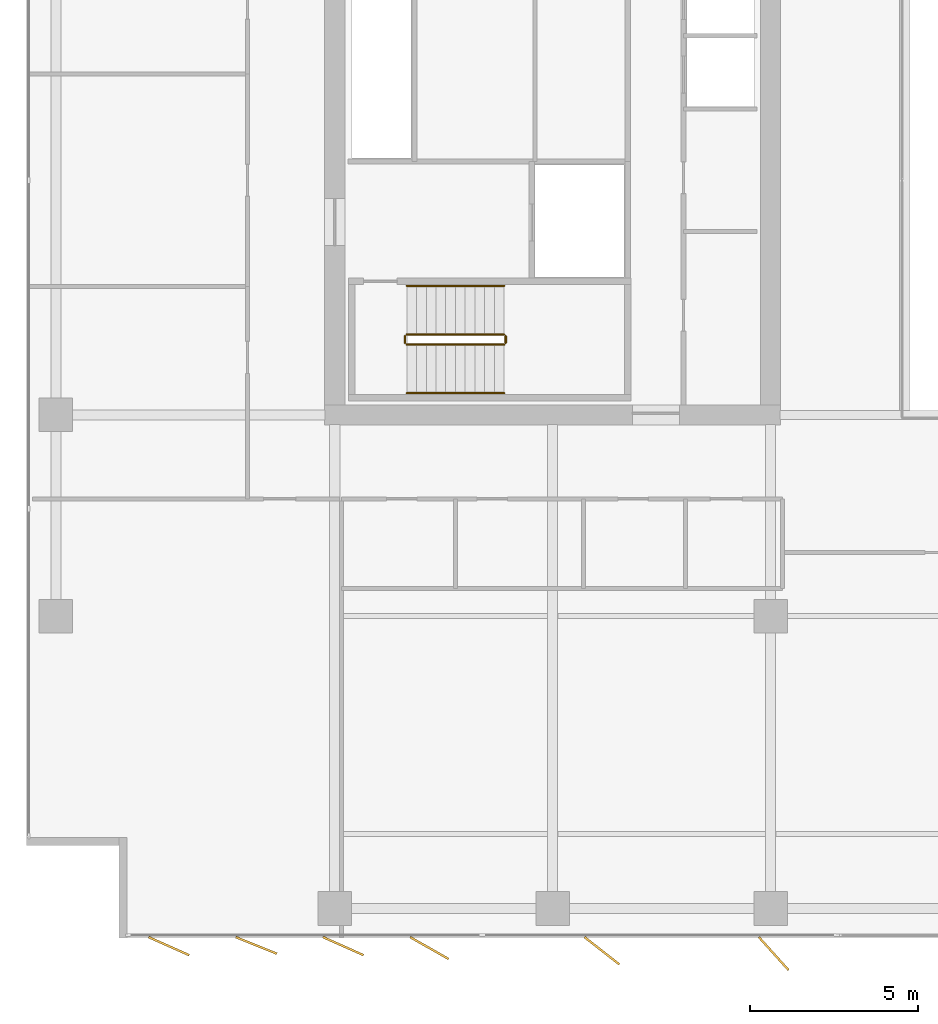
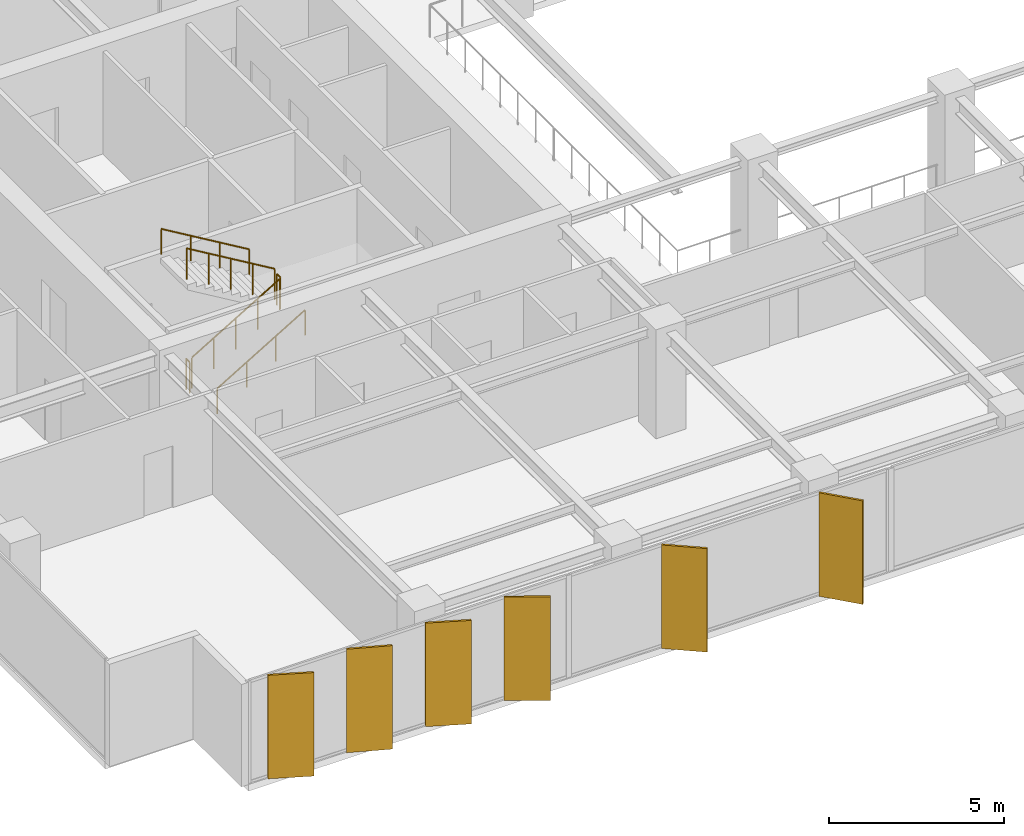
# One storey, part 19 of 22: 6 railings, 6 shading devices.
"""IFC4 building model written with IfcOpenShell, lengths in metres."""

from ifc_helpers import new_model, si_unit, direction, frame, origin, origin_2d, place, context, subcontext, project, spatial, rectangle, circle, extrude, material, layer, layer_set, type_object, element, save


model = new_model("IFC4")

# Units and contexts
model_context = context("Model", 3, precision=1e-05, world=origin(), true_north=direction((0.0, 1.0)))
body_context = subcontext(model_context, "Body", "Model", "MODEL_VIEW")
ifc_project = project(units=[si_unit("LENGTHUNIT", "METRE"), si_unit("AREAUNIT", "SQUARE_METRE"), si_unit("VOLUMEUNIT", "CUBIC_METRE"), si_unit("PLANEANGLEUNIT", "RADIAN"), si_unit("MASSUNIT", "GRAM", prefix="KILO")], contexts=[model_context])

# Site, building, storey
site_placement = place(None, origin())
site = spatial("IfcSite", under=ifc_project, at=site_placement, CompositionType="ELEMENT")
building_placement = place(site_placement, origin())
building = spatial("IfcBuilding", under=site, at=building_placement, Name="Putna Gate Headquarters", CompositionType="ELEMENT")
storey_placement = place(building_placement, frame((0.0, 0.0, 151.800048828125)))
storey = spatial("IfcBuildingStorey", under=building, at=storey_placement, Name="L37", CompositionType="ELEMENT", Elevation=151.800048828125)

# Railings
ifc_material_1 = material(Name="Powder-coated steel stair guardrail", Category="steel")
railing_type_1 = type_object("IfcRailingType", Name="RAIL-STAIR-GUARD-1100", PredefinedType="GUARDRAIL", material=ifc_material_1)
railing_1_placement = place(storey_placement, frame((15.14990234375, 21.10009765625, 0.172607421875)))
element("IfcRailing", 1, at=railing_1_placement, inside=storey, type_object=railing_type_1, Name="L37 ST1 stair guard 1", PredefinedType="GUARDRAIL", context=body_context, shape_type="SweptSolid", body=[
    extrude(circle(Radius=0.02392578125, at=origin_2d()), frame((0.0, 0.0, 1.076171875), z_axis=(0.859160404282, 0.0, 0.51170636083), x_axis=(0.0, 1.0, 0.0)), (0.0, 0.0, 1.0), 3.37548828125),
    extrude(circle(Radius=0.02099609375, at=origin_2d()), origin(), (0.0, 0.0, 1.0), 1.052001953125),
    extrude(circle(Radius=0.02099609375, at=origin_2d()), frame((0.72509765625, 0.0, 0.431884765625)), (0.0, 0.0, 1.0), 1.052001953125),
    extrude(circle(Radius=0.02099609375, at=origin_2d()), frame((1.4501953125, 0.0, 0.86376953125)), (0.0, 0.0, 1.0), 1.052001953125),
    extrude(circle(Radius=0.02099609375, at=origin_2d()), frame((2.175048828125, 0.0, 1.29541015625)), (0.0, 0.0, 1.0), 1.052001953125),
    extrude(circle(Radius=0.02099609375, at=origin_2d()), frame((2.900146484375, 0.0, 1.727294921875)), (0.0, 0.0, 1.0), 1.052001953125),
])
railing_2_placement = place(storey_placement, frame((18.10009765625, 21.14990234375, 1.89990234375)))
element("IfcRailing", 2, at=railing_2_placement, inside=storey, type_object=railing_type_1, Name="L37 ST1 stair guard 2", PredefinedType="GUARDRAIL", context=body_context, shape_type="SweptSolid", body=[
    extrude(circle(Radius=0.02392578125, at=origin_2d()), frame((0.0, 0.0, 1.076171875), z_axis=(0.0, 1.0, 0.0), x_axis=(-1.0, 0.0, 0.0)), (0.0, 0.0, 1.0), 0.2001953125),
    extrude(circle(Radius=0.02099609375, at=origin_2d()), origin(), (0.0, 0.0, 1.0), 1.052001953125),
    extrude(circle(Radius=0.02099609375, at=origin_2d()), frame((0.0, 0.2001953125, 0.0)), (0.0, 0.0, 1.0), 1.052001953125),
])
railing_3_placement = place(storey_placement, frame((18.050048828125, 21.39990234375, 2.07275390625)))
element("IfcRailing", 3, at=railing_3_placement, inside=storey, type_object=railing_type_1, Name="L37 ST1 stair guard 3", PredefinedType="GUARDRAIL", context=body_context, shape_type="SweptSolid", body=[
    extrude(circle(Radius=0.02392578125, at=origin_2d()), frame((0.0, 0.0, 1.076171875), z_axis=(-0.859160404282, 0.0, 0.51170636083), x_axis=(0.0, -1.0, 0.0)), (0.0, 0.0, 1.0), 3.37548828125),
    extrude(circle(Radius=0.02099609375, at=origin_2d()), origin(), (0.0, 0.0, 1.0), 1.052001953125),
    extrude(circle(Radius=0.02099609375, at=origin_2d()), frame((-0.72509765625, 0.0, 0.431884765625)), (0.0, 0.0, 1.0), 1.052001953125),
    extrude(circle(Radius=0.02099609375, at=origin_2d()), frame((-1.4501953125, 0.0, 0.86376953125)), (0.0, 0.0, 1.0), 1.052001953125),
    extrude(circle(Radius=0.02099609375, at=origin_2d()), frame((-2.175048828125, 0.0, 1.29541015625)), (0.0, 0.0, 1.0), 1.052001953125),
    extrude(circle(Radius=0.02099609375, at=origin_2d()), frame((-2.900146484375, 0.0, 1.727294921875)), (0.0, 0.0, 1.0), 1.052001953125),
])
railing_4_placement = place(storey_placement, frame((15.10009765625, 21.14990234375, 0.0)))
element("IfcRailing", 4, at=railing_4_placement, inside=storey, type_object=railing_type_1, Name="L37 ST1 stair guard 4", PredefinedType="GUARDRAIL", context=body_context, shape_type="SweptSolid", body=[
    extrude(circle(Radius=0.02392578125, at=origin_2d()), frame((0.0, 0.0, 1.076171875), z_axis=(0.0, 1.0, 0.0), x_axis=(-1.0, 0.0, 0.0)), (0.0, 0.0, 1.0), 0.2001953125),
    extrude(circle(Radius=0.02099609375, at=origin_2d()), origin(), (0.0, 0.0, 1.0), 1.052001953125),
    extrude(circle(Radius=0.02099609375, at=origin_2d()), frame((0.0, 0.2001953125, 0.0)), (0.0, 0.0, 1.0), 1.052001953125),
])
ifc_material_2 = material(Name="Brushed stainless steel handrail", Category="steel")
railing_type_2 = type_object("IfcRailingType", Name="RAIL-STAIR-HAND-900", PredefinedType="HANDRAIL", material=ifc_material_2)
railing_5_placement = place(storey_placement, frame((15.14990234375, 19.64990234375, 0.172607421875)))
element("IfcRailing", 5, at=railing_5_placement, inside=storey, type_object=railing_type_2, Name="L37 ST1 stair handrail 1", PredefinedType="HANDRAIL", context=body_context, shape_type="SweptSolid", body=[
    extrude(circle(Radius=0.02392578125, at=origin_2d()), frame((0.0, 0.0, 0.8759765625), z_axis=(0.859160404282, 0.0, 0.51170636083), x_axis=(0.0, 1.0, 0.0)), (0.0, 0.0, 1.0), 3.37548828125),
    extrude(circle(Radius=0.02099609375, at=origin_2d()), origin(), (0.0, 0.0, 1.0), 0.851806640625),
    extrude(circle(Radius=0.02099609375, at=origin_2d()), frame((0.966796875, 0.0, 0.57568359375)), (0.0, 0.0, 1.0), 0.851806640625),
    extrude(circle(Radius=0.02099609375, at=origin_2d()), frame((1.933349609375, 0.0, 1.151611328125)), (0.0, 0.0, 1.0), 0.851806640625),
    extrude(circle(Radius=0.02099609375, at=origin_2d()), frame((2.900146484375, 0.0, 1.727294921875)), (0.0, 0.0, 1.0), 0.851806640625),
])
railing_6_placement = place(storey_placement, frame((18.050048828125, 22.85009765625, 2.07275390625)))
element("IfcRailing", 6, at=railing_6_placement, inside=storey, type_object=railing_type_2, Name="L37 ST1 stair handrail 2", PredefinedType="HANDRAIL", context=body_context, shape_type="SweptSolid", body=[
    extrude(circle(Radius=0.02392578125, at=origin_2d()), frame((0.0, 0.0, 0.8759765625), z_axis=(-0.859160404282, 0.0, 0.51170636083), x_axis=(0.0, -1.0, 0.0)), (0.0, 0.0, 1.0), 3.37548828125),
    extrude(circle(Radius=0.02099609375, at=origin_2d()), origin(), (0.0, 0.0, 1.0), 0.851806640625),
    extrude(circle(Radius=0.02099609375, at=origin_2d()), frame((-0.966796875, 0.0, 0.57568359375)), (0.0, 0.0, 1.0), 0.851806640625),
    extrude(circle(Radius=0.02099609375, at=origin_2d()), frame((-1.933349609375, 0.0, 1.151611328125)), (0.0, 0.0, 1.0), 0.851806640625),
    extrude(circle(Radius=0.02099609375, at=origin_2d()), frame((-2.900146484375, 0.0, 1.727294921875)), (0.0, 0.0, 1.0), 0.851806640625),
])

# Shading devices
ifc_material_3 = material(Name="Anodised architectural bronze aluminium fin", Category="aluminium")
ifc_layer = layer(ifc_material_3, 0.06494140625)
ifc_layer_set = layer_set([ifc_layer], Name="Anodised architectural bronze aluminium fin")
shading_device_type = type_object("IfcShadingDeviceType", Name="SHADE-BRONZE-FIN-1320", PredefinedType="USERDEFINED", material=ifc_layer_set)
for number, where, z_axis, x_axis, name in (
    (7, (8.052978515625, 3.15673828125, -0.02001953125), (0.0, 0.0, 1.0), (0.913687379856, -0.40641773078, 0.0), "L37 Bronze Vertical Shading Fin S1"),
    (8, (10.661865234375, 3.177734375, -0.02001953125), (0.0, 0.0, 1.0), (0.927183854567, -0.374606593416, 0.0), "L37 Bronze Vertical Shading Fin S2"),
    (9, (13.2529296875, 3.15673828125, -0.02001953125), (0.0, 0.0, 1.0), (0.913687379856, -0.40641773078, 0.0), "L37 Bronze Vertical Shading Fin S3"),
    (10, (15.82373046875, 3.098876953125, -0.02001953125), (0.0, 0.0, 1.0), (0.869322458298, -0.494245347472, 0.0), "L37 Bronze Vertical Shading Fin S4"),
    (11, (20.9697265625, 3.018310546875, -0.02001953125), (0.0, 0.0, 1.0), (0.787473187632, -0.616348909921, 0.0), "L37 Bronze Vertical Shading Fin S5"),
    (12, (26.091552734375, 2.9345703125, -0.02001953125), (0.0, 0.0, 1.0), (0.669130606359, -0.743144825477, 0.0), "L37 Bronze Vertical Shading Fin S6"),
):
    element("IfcShadingDevice", number, at=place(storey_placement, frame(where, z_axis=z_axis, x_axis=x_axis)), inside=storey, type_object=shading_device_type, Name=name, ObjectType="FIN", PredefinedType="USERDEFINED", context=body_context, shape_type="SweptSolid", body=[
        extrude(rectangle(XDim=1.320068359375, YDim=0.06494140625, at=origin_2d()), origin(), (0.0, 0.0, 1.0), 3.612060546875),
    ])

save(model, "model.ifc")
